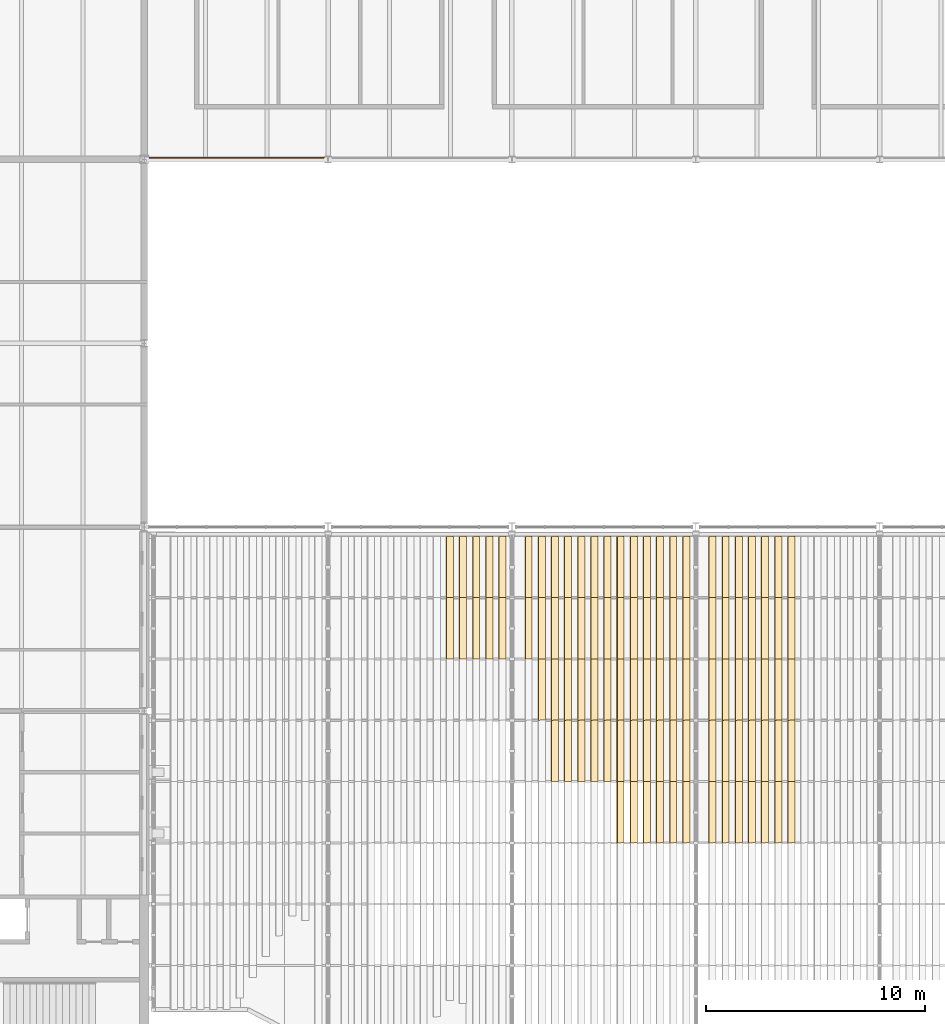
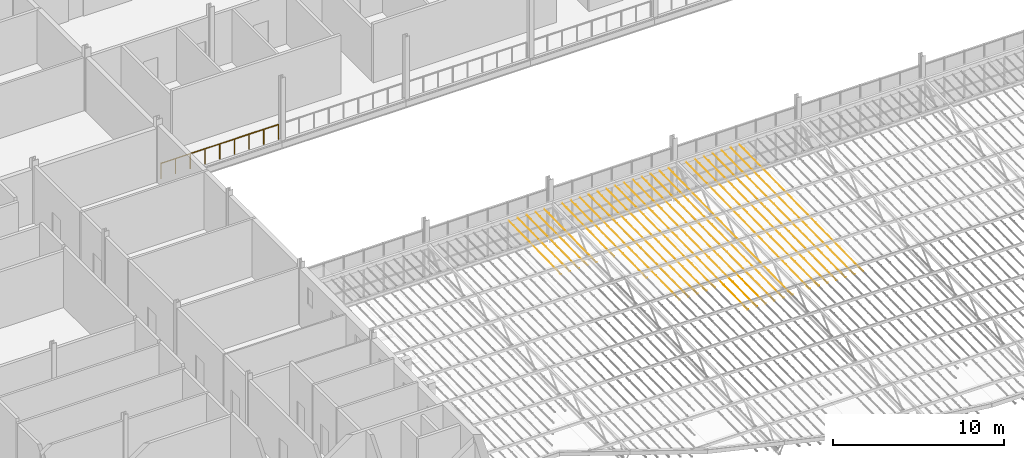
# One storey, part 119 of 129: 100 coverings, 1 railing.
"""IFC4 building model written with IfcOpenShell, lengths in metres."""

from ifc_helpers import new_model, si_unit, direction, frame, origin, origin_2d, place, context, subcontext, project, spatial, polyline, circle, outline, extrude, material, material_profile, profile_set, type_object, element, save


model = new_model("IFC4")

# Units and contexts
model_context = context("Model", 3, precision=1e-05, world=origin(), true_north=direction((0.0, 1.0)))
body_context = subcontext(model_context, "Body", "Model", "MODEL_VIEW")
ifc_project = project(units=[si_unit("LENGTHUNIT", "METRE"), si_unit("AREAUNIT", "SQUARE_METRE"), si_unit("VOLUMEUNIT", "CUBIC_METRE"), si_unit("PLANEANGLEUNIT", "RADIAN"), si_unit("MASSUNIT", "GRAM", prefix="KILO")], contexts=[model_context])

# Site, building, storey
site_placement = place(None, origin())
site = spatial("IfcSite", under=ifc_project, at=site_placement, CompositionType="ELEMENT")
building_placement = place(site_placement, origin())
building = spatial("IfcBuilding", under=site, at=building_placement, Name="Ardhachandra Cancer Care Centre", CompositionType="ELEMENT")
storey_placement = place(building_placement, frame((0.0, 0.0, 4.5)))
storey = spatial("IfcBuildingStorey", under=building, at=storey_placement, Name="L01", CompositionType="ELEMENT", Elevation=4.5)

# Railing
ifc_material_1 = material(Name="Steel E250 (IS 2062)", Category="steel")
railing_type = type_object("IfcRailingType", Name="Guard 1100", PredefinedType="GUARDRAIL", material=ifc_material_1)
railing_placement = place(storey_placement, frame((44.6455078125, 71.47998046875, 0.0)))
element("IfcRailing", 1, at=railing_placement, inside=storey, type_object=railing_type, Name="Gallery guard 1", PredefinedType="GUARDRAIL", context=body_context, shape_type="SweptSolid", body=[
    extrude(circle(Radius=0.02392578125, at=origin_2d()), frame((0.0, 0.0, 1.076171875), z_axis=(1.0, 0.0, 0.0), x_axis=(0.0, 1.0, 0.0)), (0.0, 0.0, 1.0), 7.95458984375),
    extrude(circle(Radius=0.02099609375, at=origin_2d()), origin(), (0.0, 0.0, 1.0), 1.052001953125),
    extrude(circle(Radius=0.02099609375, at=origin_2d()), frame((0.994384765625, 0.0, 0.0)), (0.0, 0.0, 1.0), 1.052001953125),
    extrude(circle(Radius=0.02099609375, at=origin_2d()), frame((1.98876953125, 0.0, 0.0)), (0.0, 0.0, 1.0), 1.052001953125),
    extrude(circle(Radius=0.02099609375, at=origin_2d()), frame((2.98291015625, 0.0, 0.0)), (0.0, 0.0, 1.0), 1.052001953125),
    extrude(circle(Radius=0.02099609375, at=origin_2d()), frame((3.977294921875, 0.0, 0.0)), (0.0, 0.0, 1.0), 1.052001953125),
    extrude(circle(Radius=0.02099609375, at=origin_2d()), frame((4.9716796875, 0.0, 0.0)), (0.0, 0.0, 1.0), 1.052001953125),
    extrude(circle(Radius=0.02099609375, at=origin_2d()), frame((5.9658203125, 0.0, 0.0)), (0.0, 0.0, 1.0), 1.052001953125),
    extrude(circle(Radius=0.02099609375, at=origin_2d()), frame((6.960205078125, 0.0, 0.0)), (0.0, 0.0, 1.0), 1.052001953125),
    extrude(circle(Radius=0.02099609375, at=origin_2d()), frame((7.95458984375, 0.0, 0.0)), (0.0, 0.0, 1.0), 1.052001953125),
])

# Coverings
ifc_material_2 = material(Name="Anodised aluminium", Category="aluminium")
ifc_material_profile = material_profile(ifc_material_2, outline(polyline([(-0.01220703125, 0.0), (0.01220703125, 0.0), (0.327392578125, -0.449951171875), (0.302978515625, -0.449951171875), (-0.01220703125, 0.0)])), Name="Louvre fin 450")
ifc_profile_set = profile_set([ifc_material_profile], Name="Anodised aluminium")
covering_type = type_object("IfcCoveringType", Name="Louvre fin 450", PredefinedType="CLADDING", material=ifc_profile_set)
for number, where, z_axis, x_axis, name in (
    (2, (58.199951171875, 54.175048828125, 2.743408203125), (0.0, -0.999800721691, -0.019962888244), (1.0, 0.0, 0.0), "Louvre fin 23-1"),
    (3, (58.199951171875, 51.375, 2.6875), (0.0, -0.999800721691, -0.019962888244), (1.0, 0.0, 0.0), "Louvre fin 23-2"),
    (4, (58.800048828125, 54.175048828125, 2.743408203125), (0.0, -0.999800721691, -0.019962888244), (1.0, 0.0, 0.0), "Louvre fin 24-1"),
    (5, (58.800048828125, 51.375, 2.6875), (0.0, -0.999800721691, -0.019962888244), (1.0, 0.0, 0.0), "Louvre fin 24-2"),
    (6, (59.39990234375, 54.175048828125, 2.743408203125), (0.0, -0.999800721691, -0.019962888244), (1.0, 0.0, 0.0), "Louvre fin 25-1"),
    (7, (59.39990234375, 51.375, 2.6875), (0.0, -0.999800721691, -0.019962888244), (1.0, 0.0, 0.0), "Louvre fin 25-2"),
    (8, (60.0, 54.175048828125, 2.743408203125), (0.0, -0.999800721691, -0.019962888244), (1.0, 0.0, 0.0), "Louvre fin 26-1"),
    (9, (60.0, 51.375, 2.6875), (0.0, -0.999800721691, -0.019962888244), (1.0, 0.0, 0.0), "Louvre fin 26-2"),
    (10, (60.60009765625, 54.175048828125, 2.743408203125), (0.0, -0.999800721691, -0.019962888244), (1.0, 0.0, 0.0), "Louvre fin 27-1"),
    (11, (60.60009765625, 51.375, 2.6875), (0.0, -0.999800721691, -0.019962888244), (1.0, 0.0, 0.0), "Louvre fin 27-2"),
    (12, (61.800048828125, 54.175048828125, 2.743408203125), (0.0, -0.999800721691, -0.019962888244), (1.0, 0.0, 0.0), "Louvre fin 29-1"),
    (13, (61.800048828125, 51.375, 2.6875), (0.0, -0.999800721691, -0.019962888244), (1.0, 0.0, 0.0), "Louvre fin 29-2"),
    (14, (62.39990234375, 54.175048828125, 2.743408203125), (0.0, -0.999800721691, -0.019962888244), (1.0, 0.0, 0.0), "Louvre fin 30-1"),
    (15, (62.39990234375, 51.375, 2.6875), (0.0, -0.999800721691, -0.019962888244), (1.0, 0.0, 0.0), "Louvre fin 30-2"),
    (16, (62.39990234375, 48.574951171875, 2.631591796875), (0.0, -0.999798977995, -0.02005002746), (1.0, 0.0, 0.0), "Louvre fin 30-3"),
    (17, (63.0, 54.175048828125, 2.743408203125), (0.0, -0.999800721691, -0.019962888244), (1.0, 0.0, 0.0), "Louvre fin 31-1"),
    (18, (63.0, 51.375, 2.6875), (0.0, -0.999800721691, -0.019962888244), (1.0, 0.0, 0.0), "Louvre fin 31-2"),
    (19, (63.0, 48.574951171875, 2.631591796875), (0.0, -0.999798977995, -0.02005002746), (1.0, 0.0, 0.0), "Louvre fin 31-3"),
):
    element("IfcCovering", number, at=place(storey_placement, frame(where, z_axis=z_axis, x_axis=x_axis)), inside=storey, type_object=covering_type, Name=name, PredefinedType="CLADDING", context=body_context, shape_type="SweptSolid", body=[
        extrude(outline(polyline([(-0.01220703125, 0.0), (0.01220703125, 0.0), (0.327392578125, -0.449951171875), (0.302978515625, -0.449951171875), (-0.01220703125, 0.0)])), origin(), (0.0, 0.0, 1.0), 2.800537109375),
    ])
covering_1_placement = place(storey_placement, frame((63.0, 45.77490234375, 2.575439453125), z_axis=(0.0, -0.999800686946, -0.019964628297), x_axis=(1.0, 0.0, 0.0)))
element("IfcCovering", 20, at=covering_1_placement, inside=storey, type_object=covering_type, Name="Louvre fin 31-4", PredefinedType="CLADDING", context=body_context, shape_type="SweptSolid", body=[
    extrude(outline(polyline([(-0.01220703125, 0.0), (0.01220703125, 0.0), (0.327392578125, -0.449951171875), (0.302978515625, -0.449951171875), (-0.01220703125, 0.0)])), origin(), (0.0, 0.0, 1.0), 2.80029296875),
])
for number, where, z_axis, x_axis, name in (
    (21, (63.60009765625, 54.175048828125, 2.743408203125), (0.0, -0.999800721691, -0.019962888244), (1.0, 0.0, 0.0), "Louvre fin 32-1"),
    (22, (63.60009765625, 51.375, 2.6875), (0.0, -0.999800721691, -0.019962888244), (1.0, 0.0, 0.0), "Louvre fin 32-2"),
    (23, (63.60009765625, 48.574951171875, 2.631591796875), (0.0, -0.999798977995, -0.02005002746), (1.0, 0.0, 0.0), "Louvre fin 32-3"),
):
    element("IfcCovering", number, at=place(storey_placement, frame(where, z_axis=z_axis, x_axis=x_axis)), inside=storey, type_object=covering_type, Name=name, PredefinedType="CLADDING", context=body_context, shape_type="SweptSolid", body=[
        extrude(outline(polyline([(-0.01220703125, 0.0), (0.01220703125, 0.0), (0.327392578125, -0.449951171875), (0.302978515625, -0.449951171875), (-0.01220703125, 0.0)])), origin(), (0.0, 0.0, 1.0), 2.800537109375),
    ])
covering_2_placement = place(storey_placement, frame((63.60009765625, 45.77490234375, 2.575439453125), z_axis=(0.0, -0.999800686946, -0.019964628297), x_axis=(1.0, 0.0, 0.0)))
element("IfcCovering", 24, at=covering_2_placement, inside=storey, type_object=covering_type, Name="Louvre fin 32-4", PredefinedType="CLADDING", context=body_context, shape_type="SweptSolid", body=[
    extrude(outline(polyline([(-0.01220703125, 0.0), (0.01220703125, 0.0), (0.327392578125, -0.449951171875), (0.302978515625, -0.449951171875), (-0.01220703125, 0.0)])), origin(), (0.0, 0.0, 1.0), 2.80029296875),
])
for number, where, z_axis, x_axis, name in (
    (25, (64.199951171875, 54.175048828125, 2.743408203125), (0.0, -0.999800721691, -0.019962888244), (1.0, 0.0, 0.0), "Louvre fin 33-1"),
    (26, (64.199951171875, 51.375, 2.6875), (0.0, -0.999800721691, -0.019962888244), (1.0, 0.0, 0.0), "Louvre fin 33-2"),
    (27, (64.199951171875, 48.574951171875, 2.631591796875), (0.0, -0.999798977995, -0.02005002746), (1.0, 0.0, 0.0), "Louvre fin 33-3"),
):
    element("IfcCovering", number, at=place(storey_placement, frame(where, z_axis=z_axis, x_axis=x_axis)), inside=storey, type_object=covering_type, Name=name, PredefinedType="CLADDING", context=body_context, shape_type="SweptSolid", body=[
        extrude(outline(polyline([(-0.01220703125, 0.0), (0.01220703125, 0.0), (0.327392578125, -0.449951171875), (0.302978515625, -0.449951171875), (-0.01220703125, 0.0)])), origin(), (0.0, 0.0, 1.0), 2.800537109375),
    ])
covering_3_placement = place(storey_placement, frame((64.199951171875, 45.77490234375, 2.575439453125), z_axis=(0.0, -0.999800686946, -0.019964628297), x_axis=(1.0, 0.0, 0.0)))
element("IfcCovering", 28, at=covering_3_placement, inside=storey, type_object=covering_type, Name="Louvre fin 33-4", PredefinedType="CLADDING", context=body_context, shape_type="SweptSolid", body=[
    extrude(outline(polyline([(-0.01220703125, 0.0), (0.01220703125, 0.0), (0.327392578125, -0.449951171875), (0.302978515625, -0.449951171875), (-0.01220703125, 0.0)])), origin(), (0.0, 0.0, 1.0), 2.80029296875),
])
for number, where, z_axis, x_axis, name in (
    (29, (64.800048828125, 54.175048828125, 2.743408203125), (0.0, -0.999800721691, -0.019962888244), (1.0, 0.0, 0.0), "Louvre fin 34-1"),
    (30, (64.800048828125, 51.375, 2.6875), (0.0, -0.999800721691, -0.019962888244), (1.0, 0.0, 0.0), "Louvre fin 34-2"),
    (31, (64.800048828125, 48.574951171875, 2.631591796875), (0.0, -0.999798977995, -0.02005002746), (1.0, 0.0, 0.0), "Louvre fin 34-3"),
):
    element("IfcCovering", number, at=place(storey_placement, frame(where, z_axis=z_axis, x_axis=x_axis)), inside=storey, type_object=covering_type, Name=name, PredefinedType="CLADDING", context=body_context, shape_type="SweptSolid", body=[
        extrude(outline(polyline([(-0.01220703125, 0.0), (0.01220703125, 0.0), (0.327392578125, -0.449951171875), (0.302978515625, -0.449951171875), (-0.01220703125, 0.0)])), origin(), (0.0, 0.0, 1.0), 2.800537109375),
    ])
covering_4_placement = place(storey_placement, frame((64.800048828125, 45.77490234375, 2.575439453125), z_axis=(0.0, -0.999800686946, -0.019964628297), x_axis=(1.0, 0.0, 0.0)))
element("IfcCovering", 32, at=covering_4_placement, inside=storey, type_object=covering_type, Name="Louvre fin 34-4", PredefinedType="CLADDING", context=body_context, shape_type="SweptSolid", body=[
    extrude(outline(polyline([(-0.01220703125, 0.0), (0.01220703125, 0.0), (0.327392578125, -0.449951171875), (0.302978515625, -0.449951171875), (-0.01220703125, 0.0)])), origin(), (0.0, 0.0, 1.0), 2.80029296875),
])
for number, where, z_axis, x_axis, name in (
    (33, (65.39990234375, 54.175048828125, 2.743408203125), (0.0, -0.999800721691, -0.019962888244), (1.0, 0.0, 0.0), "Louvre fin 35-1"),
    (34, (65.39990234375, 51.375, 2.6875), (0.0, -0.999800721691, -0.019962888244), (1.0, 0.0, 0.0), "Louvre fin 35-2"),
    (35, (65.39990234375, 48.574951171875, 2.631591796875), (0.0, -0.999798977995, -0.02005002746), (1.0, 0.0, 0.0), "Louvre fin 35-3"),
):
    element("IfcCovering", number, at=place(storey_placement, frame(where, z_axis=z_axis, x_axis=x_axis)), inside=storey, type_object=covering_type, Name=name, PredefinedType="CLADDING", context=body_context, shape_type="SweptSolid", body=[
        extrude(outline(polyline([(-0.01220703125, 0.0), (0.01220703125, 0.0), (0.327392578125, -0.449951171875), (0.302978515625, -0.449951171875), (-0.01220703125, 0.0)])), origin(), (0.0, 0.0, 1.0), 2.800537109375),
    ])
covering_5_placement = place(storey_placement, frame((65.39990234375, 45.77490234375, 2.575439453125), z_axis=(0.0, -0.999800686946, -0.019964628297), x_axis=(1.0, 0.0, 0.0)))
element("IfcCovering", 36, at=covering_5_placement, inside=storey, type_object=covering_type, Name="Louvre fin 35-4", PredefinedType="CLADDING", context=body_context, shape_type="SweptSolid", body=[
    extrude(outline(polyline([(-0.01220703125, 0.0), (0.01220703125, 0.0), (0.327392578125, -0.449951171875), (0.302978515625, -0.449951171875), (-0.01220703125, 0.0)])), origin(), (0.0, 0.0, 1.0), 2.80029296875),
])
for number, where, z_axis, x_axis, name in (
    (37, (66.0, 54.175048828125, 2.743408203125), (0.0, -0.999800721691, -0.019962888244), (1.0, 0.0, 0.0), "Louvre fin 36-1"),
    (38, (66.0, 51.375, 2.6875), (0.0, -0.999800721691, -0.019962888244), (1.0, 0.0, 0.0), "Louvre fin 36-2"),
    (39, (66.0, 48.574951171875, 2.631591796875), (0.0, -0.999798977995, -0.02005002746), (1.0, 0.0, 0.0), "Louvre fin 36-3"),
):
    element("IfcCovering", number, at=place(storey_placement, frame(where, z_axis=z_axis, x_axis=x_axis)), inside=storey, type_object=covering_type, Name=name, PredefinedType="CLADDING", context=body_context, shape_type="SweptSolid", body=[
        extrude(outline(polyline([(-0.01220703125, 0.0), (0.01220703125, 0.0), (0.327392578125, -0.449951171875), (0.302978515625, -0.449951171875), (-0.01220703125, 0.0)])), origin(), (0.0, 0.0, 1.0), 2.800537109375),
    ])
covering_6_placement = place(storey_placement, frame((66.0, 45.77490234375, 2.575439453125), z_axis=(0.0, -0.999800686946, -0.019964628297), x_axis=(1.0, 0.0, 0.0)))
element("IfcCovering", 40, at=covering_6_placement, inside=storey, type_object=covering_type, Name="Louvre fin 36-4", PredefinedType="CLADDING", context=body_context, shape_type="SweptSolid", body=[
    extrude(outline(polyline([(-0.01220703125, 0.0), (0.01220703125, 0.0), (0.327392578125, -0.449951171875), (0.302978515625, -0.449951171875), (-0.01220703125, 0.0)])), origin(), (0.0, 0.0, 1.0), 2.80029296875),
])
for number, where, z_axis, x_axis, name in (
    (41, (66.0, 42.97509765625, 2.51953125), (0.0, -0.999798977995, -0.02005002746), (1.0, 0.0, 0.0), "Louvre fin 36-5"),
    (42, (66.60009765625, 54.175048828125, 2.743408203125), (0.0, -0.999800721691, -0.019962888244), (1.0, 0.0, 0.0), "Louvre fin 37-1"),
    (43, (66.60009765625, 51.375, 2.6875), (0.0, -0.999800721691, -0.019962888244), (1.0, 0.0, 0.0), "Louvre fin 37-2"),
    (44, (66.60009765625, 48.574951171875, 2.631591796875), (0.0, -0.999798977995, -0.02005002746), (1.0, 0.0, 0.0), "Louvre fin 37-3"),
):
    element("IfcCovering", number, at=place(storey_placement, frame(where, z_axis=z_axis, x_axis=x_axis)), inside=storey, type_object=covering_type, Name=name, PredefinedType="CLADDING", context=body_context, shape_type="SweptSolid", body=[
        extrude(outline(polyline([(-0.01220703125, 0.0), (0.01220703125, 0.0), (0.327392578125, -0.449951171875), (0.302978515625, -0.449951171875), (-0.01220703125, 0.0)])), origin(), (0.0, 0.0, 1.0), 2.800537109375),
    ])
covering_7_placement = place(storey_placement, frame((66.60009765625, 45.77490234375, 2.575439453125), z_axis=(0.0, -0.999800686946, -0.019964628297), x_axis=(1.0, 0.0, 0.0)))
element("IfcCovering", 45, at=covering_7_placement, inside=storey, type_object=covering_type, Name="Louvre fin 37-4", PredefinedType="CLADDING", context=body_context, shape_type="SweptSolid", body=[
    extrude(outline(polyline([(-0.01220703125, 0.0), (0.01220703125, 0.0), (0.327392578125, -0.449951171875), (0.302978515625, -0.449951171875), (-0.01220703125, 0.0)])), origin(), (0.0, 0.0, 1.0), 2.80029296875),
])
for number, where, z_axis, x_axis, name in (
    (46, (66.60009765625, 42.97509765625, 2.51953125), (0.0, -0.999798977995, -0.02005002746), (1.0, 0.0, 0.0), "Louvre fin 37-5"),
    (47, (67.199951171875, 54.175048828125, 2.743408203125), (0.0, -0.999800721691, -0.019962888244), (1.0, 0.0, 0.0), "Louvre fin 38-1"),
    (48, (67.199951171875, 51.375, 2.6875), (0.0, -0.999800721691, -0.019962888244), (1.0, 0.0, 0.0), "Louvre fin 38-2"),
    (49, (67.199951171875, 48.574951171875, 2.631591796875), (0.0, -0.999798977995, -0.02005002746), (1.0, 0.0, 0.0), "Louvre fin 38-3"),
):
    element("IfcCovering", number, at=place(storey_placement, frame(where, z_axis=z_axis, x_axis=x_axis)), inside=storey, type_object=covering_type, Name=name, PredefinedType="CLADDING", context=body_context, shape_type="SweptSolid", body=[
        extrude(outline(polyline([(-0.01220703125, 0.0), (0.01220703125, 0.0), (0.327392578125, -0.449951171875), (0.302978515625, -0.449951171875), (-0.01220703125, 0.0)])), origin(), (0.0, 0.0, 1.0), 2.800537109375),
    ])
covering_8_placement = place(storey_placement, frame((67.199951171875, 45.77490234375, 2.575439453125), z_axis=(0.0, -0.999800686946, -0.019964628297), x_axis=(1.0, 0.0, 0.0)))
element("IfcCovering", 50, at=covering_8_placement, inside=storey, type_object=covering_type, Name="Louvre fin 38-4", PredefinedType="CLADDING", context=body_context, shape_type="SweptSolid", body=[
    extrude(outline(polyline([(-0.01220703125, 0.0), (0.01220703125, 0.0), (0.327392578125, -0.449951171875), (0.302978515625, -0.449951171875), (-0.01220703125, 0.0)])), origin(), (0.0, 0.0, 1.0), 2.80029296875),
])
for number, where, z_axis, x_axis, name in (
    (51, (67.199951171875, 42.97509765625, 2.51953125), (0.0, -0.999798977995, -0.02005002746), (1.0, 0.0, 0.0), "Louvre fin 38-5"),
    (52, (67.800048828125, 54.175048828125, 2.743408203125), (0.0, -0.999800721691, -0.019962888244), (1.0, 0.0, 0.0), "Louvre fin 39-1"),
    (53, (67.800048828125, 51.375, 2.6875), (0.0, -0.999800721691, -0.019962888244), (1.0, 0.0, 0.0), "Louvre fin 39-2"),
    (54, (67.800048828125, 48.574951171875, 2.631591796875), (0.0, -0.999798977995, -0.02005002746), (1.0, 0.0, 0.0), "Louvre fin 39-3"),
):
    element("IfcCovering", number, at=place(storey_placement, frame(where, z_axis=z_axis, x_axis=x_axis)), inside=storey, type_object=covering_type, Name=name, PredefinedType="CLADDING", context=body_context, shape_type="SweptSolid", body=[
        extrude(outline(polyline([(-0.01220703125, 0.0), (0.01220703125, 0.0), (0.327392578125, -0.449951171875), (0.302978515625, -0.449951171875), (-0.01220703125, 0.0)])), origin(), (0.0, 0.0, 1.0), 2.800537109375),
    ])
covering_9_placement = place(storey_placement, frame((67.800048828125, 45.77490234375, 2.575439453125), z_axis=(0.0, -0.999800686946, -0.019964628297), x_axis=(1.0, 0.0, 0.0)))
element("IfcCovering", 55, at=covering_9_placement, inside=storey, type_object=covering_type, Name="Louvre fin 39-4", PredefinedType="CLADDING", context=body_context, shape_type="SweptSolid", body=[
    extrude(outline(polyline([(-0.01220703125, 0.0), (0.01220703125, 0.0), (0.327392578125, -0.449951171875), (0.302978515625, -0.449951171875), (-0.01220703125, 0.0)])), origin(), (0.0, 0.0, 1.0), 2.80029296875),
])
for number, where, z_axis, x_axis, name in (
    (56, (67.800048828125, 42.97509765625, 2.51953125), (0.0, -0.999798977995, -0.02005002746), (1.0, 0.0, 0.0), "Louvre fin 39-5"),
    (57, (68.39990234375, 54.175048828125, 2.743408203125), (0.0, -0.999800721691, -0.019962888244), (1.0, 0.0, 0.0), "Louvre fin 40-1"),
    (58, (68.39990234375, 51.375, 2.6875), (0.0, -0.999800721691, -0.019962888244), (1.0, 0.0, 0.0), "Louvre fin 40-2"),
    (59, (68.39990234375, 48.574951171875, 2.631591796875), (0.0, -0.999798977995, -0.02005002746), (1.0, 0.0, 0.0), "Louvre fin 40-3"),
):
    element("IfcCovering", number, at=place(storey_placement, frame(where, z_axis=z_axis, x_axis=x_axis)), inside=storey, type_object=covering_type, Name=name, PredefinedType="CLADDING", context=body_context, shape_type="SweptSolid", body=[
        extrude(outline(polyline([(-0.01220703125, 0.0), (0.01220703125, 0.0), (0.327392578125, -0.449951171875), (0.302978515625, -0.449951171875), (-0.01220703125, 0.0)])), origin(), (0.0, 0.0, 1.0), 2.800537109375),
    ])
covering_10_placement = place(storey_placement, frame((68.39990234375, 45.77490234375, 2.575439453125), z_axis=(0.0, -0.999800686946, -0.019964628297), x_axis=(1.0, 0.0, 0.0)))
element("IfcCovering", 60, at=covering_10_placement, inside=storey, type_object=covering_type, Name="Louvre fin 40-4", PredefinedType="CLADDING", context=body_context, shape_type="SweptSolid", body=[
    extrude(outline(polyline([(-0.01220703125, 0.0), (0.01220703125, 0.0), (0.327392578125, -0.449951171875), (0.302978515625, -0.449951171875), (-0.01220703125, 0.0)])), origin(), (0.0, 0.0, 1.0), 2.80029296875),
])
for number, where, z_axis, x_axis, name in (
    (61, (68.39990234375, 42.97509765625, 2.51953125), (0.0, -0.999798977995, -0.02005002746), (1.0, 0.0, 0.0), "Louvre fin 40-5"),
    (62, (69.0, 54.175048828125, 2.743408203125), (0.0, -0.999800721691, -0.019962888244), (1.0, 0.0, 0.0), "Louvre fin 41-1"),
    (63, (69.0, 51.375, 2.6875), (0.0, -0.999800721691, -0.019962888244), (1.0, 0.0, 0.0), "Louvre fin 41-2"),
    (64, (69.0, 48.574951171875, 2.631591796875), (0.0, -0.999798977995, -0.02005002746), (1.0, 0.0, 0.0), "Louvre fin 41-3"),
):
    element("IfcCovering", number, at=place(storey_placement, frame(where, z_axis=z_axis, x_axis=x_axis)), inside=storey, type_object=covering_type, Name=name, PredefinedType="CLADDING", context=body_context, shape_type="SweptSolid", body=[
        extrude(outline(polyline([(-0.01220703125, 0.0), (0.01220703125, 0.0), (0.327392578125, -0.449951171875), (0.302978515625, -0.449951171875), (-0.01220703125, 0.0)])), origin(), (0.0, 0.0, 1.0), 2.800537109375),
    ])
covering_11_placement = place(storey_placement, frame((69.0, 45.77490234375, 2.575439453125), z_axis=(0.0, -0.999800686946, -0.019964628297), x_axis=(1.0, 0.0, 0.0)))
element("IfcCovering", 65, at=covering_11_placement, inside=storey, type_object=covering_type, Name="Louvre fin 41-4", PredefinedType="CLADDING", context=body_context, shape_type="SweptSolid", body=[
    extrude(outline(polyline([(-0.01220703125, 0.0), (0.01220703125, 0.0), (0.327392578125, -0.449951171875), (0.302978515625, -0.449951171875), (-0.01220703125, 0.0)])), origin(), (0.0, 0.0, 1.0), 2.80029296875),
])
for number, where, z_axis, x_axis, name in (
    (66, (69.0, 42.97509765625, 2.51953125), (0.0, -0.999798977995, -0.02005002746), (1.0, 0.0, 0.0), "Louvre fin 41-5"),
    (67, (70.199951171875, 54.175048828125, 2.743408203125), (0.0, -0.999800721691, -0.019962888244), (1.0, 0.0, 0.0), "Louvre fin 43-1"),
    (68, (70.199951171875, 51.375, 2.6875), (0.0, -0.999800721691, -0.019962888244), (1.0, 0.0, 0.0), "Louvre fin 43-2"),
    (69, (70.199951171875, 48.574951171875, 2.631591796875), (0.0, -0.999798977995, -0.02005002746), (1.0, 0.0, 0.0), "Louvre fin 43-3"),
):
    element("IfcCovering", number, at=place(storey_placement, frame(where, z_axis=z_axis, x_axis=x_axis)), inside=storey, type_object=covering_type, Name=name, PredefinedType="CLADDING", context=body_context, shape_type="SweptSolid", body=[
        extrude(outline(polyline([(-0.01220703125, 0.0), (0.01220703125, 0.0), (0.327392578125, -0.449951171875), (0.302978515625, -0.449951171875), (-0.01220703125, 0.0)])), origin(), (0.0, 0.0, 1.0), 2.800537109375),
    ])
covering_12_placement = place(storey_placement, frame((70.199951171875, 45.77490234375, 2.575439453125), z_axis=(0.0, -0.999800686946, -0.019964628297), x_axis=(1.0, 0.0, 0.0)))
element("IfcCovering", 70, at=covering_12_placement, inside=storey, type_object=covering_type, Name="Louvre fin 43-4", PredefinedType="CLADDING", context=body_context, shape_type="SweptSolid", body=[
    extrude(outline(polyline([(-0.01220703125, 0.0), (0.01220703125, 0.0), (0.327392578125, -0.449951171875), (0.302978515625, -0.449951171875), (-0.01220703125, 0.0)])), origin(), (0.0, 0.0, 1.0), 2.80029296875),
])
for number, where, z_axis, x_axis, name in (
    (71, (70.199951171875, 42.97509765625, 2.51953125), (0.0, -0.999798977995, -0.02005002746), (1.0, 0.0, 0.0), "Louvre fin 43-5"),
    (72, (70.800048828125, 54.175048828125, 2.743408203125), (0.0, -0.999800721691, -0.019962888244), (1.0, 0.0, 0.0), "Louvre fin 44-1"),
    (73, (70.800048828125, 51.375, 2.6875), (0.0, -0.999800721691, -0.019962888244), (1.0, 0.0, 0.0), "Louvre fin 44-2"),
    (74, (70.800048828125, 48.574951171875, 2.631591796875), (0.0, -0.999798977995, -0.02005002746), (1.0, 0.0, 0.0), "Louvre fin 44-3"),
):
    element("IfcCovering", number, at=place(storey_placement, frame(where, z_axis=z_axis, x_axis=x_axis)), inside=storey, type_object=covering_type, Name=name, PredefinedType="CLADDING", context=body_context, shape_type="SweptSolid", body=[
        extrude(outline(polyline([(-0.01220703125, 0.0), (0.01220703125, 0.0), (0.327392578125, -0.449951171875), (0.302978515625, -0.449951171875), (-0.01220703125, 0.0)])), origin(), (0.0, 0.0, 1.0), 2.800537109375),
    ])
covering_13_placement = place(storey_placement, frame((70.800048828125, 45.77490234375, 2.575439453125), z_axis=(0.0, -0.999800686946, -0.019964628297), x_axis=(1.0, 0.0, 0.0)))
element("IfcCovering", 75, at=covering_13_placement, inside=storey, type_object=covering_type, Name="Louvre fin 44-4", PredefinedType="CLADDING", context=body_context, shape_type="SweptSolid", body=[
    extrude(outline(polyline([(-0.01220703125, 0.0), (0.01220703125, 0.0), (0.327392578125, -0.449951171875), (0.302978515625, -0.449951171875), (-0.01220703125, 0.0)])), origin(), (0.0, 0.0, 1.0), 2.80029296875),
])
for number, where, z_axis, x_axis, name in (
    (76, (70.800048828125, 42.97509765625, 2.51953125), (0.0, -0.999798977995, -0.02005002746), (1.0, 0.0, 0.0), "Louvre fin 44-5"),
    (77, (71.39990234375, 54.175048828125, 2.743408203125), (0.0, -0.999800721691, -0.019962888244), (1.0, 0.0, 0.0), "Louvre fin 45-1"),
    (78, (71.39990234375, 51.375, 2.6875), (0.0, -0.999800721691, -0.019962888244), (1.0, 0.0, 0.0), "Louvre fin 45-2"),
    (79, (71.39990234375, 48.574951171875, 2.631591796875), (0.0, -0.999798977995, -0.02005002746), (1.0, 0.0, 0.0), "Louvre fin 45-3"),
):
    element("IfcCovering", number, at=place(storey_placement, frame(where, z_axis=z_axis, x_axis=x_axis)), inside=storey, type_object=covering_type, Name=name, PredefinedType="CLADDING", context=body_context, shape_type="SweptSolid", body=[
        extrude(outline(polyline([(-0.01220703125, 0.0), (0.01220703125, 0.0), (0.327392578125, -0.449951171875), (0.302978515625, -0.449951171875), (-0.01220703125, 0.0)])), origin(), (0.0, 0.0, 1.0), 2.800537109375),
    ])
covering_14_placement = place(storey_placement, frame((71.39990234375, 45.77490234375, 2.575439453125), z_axis=(0.0, -0.999800686946, -0.019964628297), x_axis=(1.0, 0.0, 0.0)))
element("IfcCovering", 80, at=covering_14_placement, inside=storey, type_object=covering_type, Name="Louvre fin 45-4", PredefinedType="CLADDING", context=body_context, shape_type="SweptSolid", body=[
    extrude(outline(polyline([(-0.01220703125, 0.0), (0.01220703125, 0.0), (0.327392578125, -0.449951171875), (0.302978515625, -0.449951171875), (-0.01220703125, 0.0)])), origin(), (0.0, 0.0, 1.0), 2.80029296875),
])
for number, where, z_axis, x_axis, name in (
    (81, (71.39990234375, 42.97509765625, 2.51953125), (0.0, -0.999798977995, -0.02005002746), (1.0, 0.0, 0.0), "Louvre fin 45-5"),
    (82, (72.0, 54.175048828125, 2.743408203125), (0.0, -0.999800721691, -0.019962888244), (1.0, 0.0, 0.0), "Louvre fin 46-1"),
    (83, (72.0, 51.375, 2.6875), (0.0, -0.999800721691, -0.019962888244), (1.0, 0.0, 0.0), "Louvre fin 46-2"),
    (84, (72.0, 48.574951171875, 2.631591796875), (0.0, -0.999798977995, -0.02005002746), (1.0, 0.0, 0.0), "Louvre fin 46-3"),
):
    element("IfcCovering", number, at=place(storey_placement, frame(where, z_axis=z_axis, x_axis=x_axis)), inside=storey, type_object=covering_type, Name=name, PredefinedType="CLADDING", context=body_context, shape_type="SweptSolid", body=[
        extrude(outline(polyline([(-0.01220703125, 0.0), (0.01220703125, 0.0), (0.327392578125, -0.449951171875), (0.302978515625, -0.449951171875), (-0.01220703125, 0.0)])), origin(), (0.0, 0.0, 1.0), 2.800537109375),
    ])
covering_15_placement = place(storey_placement, frame((72.0, 45.77490234375, 2.575439453125), z_axis=(0.0, -0.999800686946, -0.019964628297), x_axis=(1.0, 0.0, 0.0)))
element("IfcCovering", 85, at=covering_15_placement, inside=storey, type_object=covering_type, Name="Louvre fin 46-4", PredefinedType="CLADDING", context=body_context, shape_type="SweptSolid", body=[
    extrude(outline(polyline([(-0.01220703125, 0.0), (0.01220703125, 0.0), (0.327392578125, -0.449951171875), (0.302978515625, -0.449951171875), (-0.01220703125, 0.0)])), origin(), (0.0, 0.0, 1.0), 2.80029296875),
])
for number, where, z_axis, x_axis, name in (
    (86, (72.0, 42.97509765625, 2.51953125), (0.0, -0.999798977995, -0.02005002746), (1.0, 0.0, 0.0), "Louvre fin 46-5"),
    (87, (72.60009765625, 54.175048828125, 2.743408203125), (0.0, -0.999800721691, -0.019962888244), (1.0, 0.0, 0.0), "Louvre fin 47-1"),
    (88, (72.60009765625, 51.375, 2.6875), (0.0, -0.999800721691, -0.019962888244), (1.0, 0.0, 0.0), "Louvre fin 47-2"),
    (89, (72.60009765625, 48.574951171875, 2.631591796875), (0.0, -0.999798977995, -0.02005002746), (1.0, 0.0, 0.0), "Louvre fin 47-3"),
):
    element("IfcCovering", number, at=place(storey_placement, frame(where, z_axis=z_axis, x_axis=x_axis)), inside=storey, type_object=covering_type, Name=name, PredefinedType="CLADDING", context=body_context, shape_type="SweptSolid", body=[
        extrude(outline(polyline([(-0.01220703125, 0.0), (0.01220703125, 0.0), (0.327392578125, -0.449951171875), (0.302978515625, -0.449951171875), (-0.01220703125, 0.0)])), origin(), (0.0, 0.0, 1.0), 2.800537109375),
    ])
covering_16_placement = place(storey_placement, frame((72.60009765625, 45.77490234375, 2.575439453125), z_axis=(0.0, -0.999800686946, -0.019964628297), x_axis=(1.0, 0.0, 0.0)))
element("IfcCovering", 90, at=covering_16_placement, inside=storey, type_object=covering_type, Name="Louvre fin 47-4", PredefinedType="CLADDING", context=body_context, shape_type="SweptSolid", body=[
    extrude(outline(polyline([(-0.01220703125, 0.0), (0.01220703125, 0.0), (0.327392578125, -0.449951171875), (0.302978515625, -0.449951171875), (-0.01220703125, 0.0)])), origin(), (0.0, 0.0, 1.0), 2.80029296875),
])
for number, where, z_axis, x_axis, name in (
    (91, (72.60009765625, 42.97509765625, 2.51953125), (0.0, -0.999798977995, -0.02005002746), (1.0, 0.0, 0.0), "Louvre fin 47-5"),
    (92, (73.199951171875, 54.175048828125, 2.743408203125), (0.0, -0.999800721691, -0.019962888244), (1.0, 0.0, 0.0), "Louvre fin 48-1"),
    (93, (73.199951171875, 51.375, 2.6875), (0.0, -0.999800721691, -0.019962888244), (1.0, 0.0, 0.0), "Louvre fin 48-2"),
    (94, (73.199951171875, 48.574951171875, 2.631591796875), (0.0, -0.999798977995, -0.02005002746), (1.0, 0.0, 0.0), "Louvre fin 48-3"),
):
    element("IfcCovering", number, at=place(storey_placement, frame(where, z_axis=z_axis, x_axis=x_axis)), inside=storey, type_object=covering_type, Name=name, PredefinedType="CLADDING", context=body_context, shape_type="SweptSolid", body=[
        extrude(outline(polyline([(-0.01220703125, 0.0), (0.01220703125, 0.0), (0.327392578125, -0.449951171875), (0.302978515625, -0.449951171875), (-0.01220703125, 0.0)])), origin(), (0.0, 0.0, 1.0), 2.800537109375),
    ])
covering_17_placement = place(storey_placement, frame((73.199951171875, 45.77490234375, 2.575439453125), z_axis=(0.0, -0.999800686946, -0.019964628297), x_axis=(1.0, 0.0, 0.0)))
element("IfcCovering", 95, at=covering_17_placement, inside=storey, type_object=covering_type, Name="Louvre fin 48-4", PredefinedType="CLADDING", context=body_context, shape_type="SweptSolid", body=[
    extrude(outline(polyline([(-0.01220703125, 0.0), (0.01220703125, 0.0), (0.327392578125, -0.449951171875), (0.302978515625, -0.449951171875), (-0.01220703125, 0.0)])), origin(), (0.0, 0.0, 1.0), 2.80029296875),
])
for number, where, z_axis, x_axis, name in (
    (96, (73.199951171875, 42.97509765625, 2.51953125), (0.0, -0.999798977995, -0.02005002746), (1.0, 0.0, 0.0), "Louvre fin 48-5"),
    (97, (73.800048828125, 54.175048828125, 2.743408203125), (0.0, -0.999800721691, -0.019962888244), (1.0, 0.0, 0.0), "Louvre fin 49-1"),
    (98, (73.800048828125, 51.375, 2.6875), (0.0, -0.999800721691, -0.019962888244), (1.0, 0.0, 0.0), "Louvre fin 49-2"),
    (99, (73.800048828125, 48.574951171875, 2.631591796875), (0.0, -0.999798977995, -0.02005002746), (1.0, 0.0, 0.0), "Louvre fin 49-3"),
):
    element("IfcCovering", number, at=place(storey_placement, frame(where, z_axis=z_axis, x_axis=x_axis)), inside=storey, type_object=covering_type, Name=name, PredefinedType="CLADDING", context=body_context, shape_type="SweptSolid", body=[
        extrude(outline(polyline([(-0.01220703125, 0.0), (0.01220703125, 0.0), (0.327392578125, -0.449951171875), (0.302978515625, -0.449951171875), (-0.01220703125, 0.0)])), origin(), (0.0, 0.0, 1.0), 2.800537109375),
    ])
covering_18_placement = place(storey_placement, frame((73.800048828125, 45.77490234375, 2.575439453125), z_axis=(0.0, -0.999800686946, -0.019964628297), x_axis=(1.0, 0.0, 0.0)))
element("IfcCovering", 100, at=covering_18_placement, inside=storey, type_object=covering_type, Name="Louvre fin 49-4", PredefinedType="CLADDING", context=body_context, shape_type="SweptSolid", body=[
    extrude(outline(polyline([(-0.01220703125, 0.0), (0.01220703125, 0.0), (0.327392578125, -0.449951171875), (0.302978515625, -0.449951171875), (-0.01220703125, 0.0)])), origin(), (0.0, 0.0, 1.0), 2.80029296875),
])
covering_19_placement = place(storey_placement, frame((73.800048828125, 42.97509765625, 2.51953125), z_axis=(0.0, -0.999798977995, -0.02005002746), x_axis=(1.0, 0.0, 0.0)))
element("IfcCovering", 101, at=covering_19_placement, inside=storey, type_object=covering_type, Name="Louvre fin 49-5", PredefinedType="CLADDING", context=body_context, shape_type="SweptSolid", body=[
    extrude(outline(polyline([(-0.01220703125, 0.0), (0.01220703125, 0.0), (0.327392578125, -0.449951171875), (0.302978515625, -0.449951171875), (-0.01220703125, 0.0)])), origin(), (0.0, 0.0, 1.0), 2.800537109375),
])

save(model, "model.ifc")
